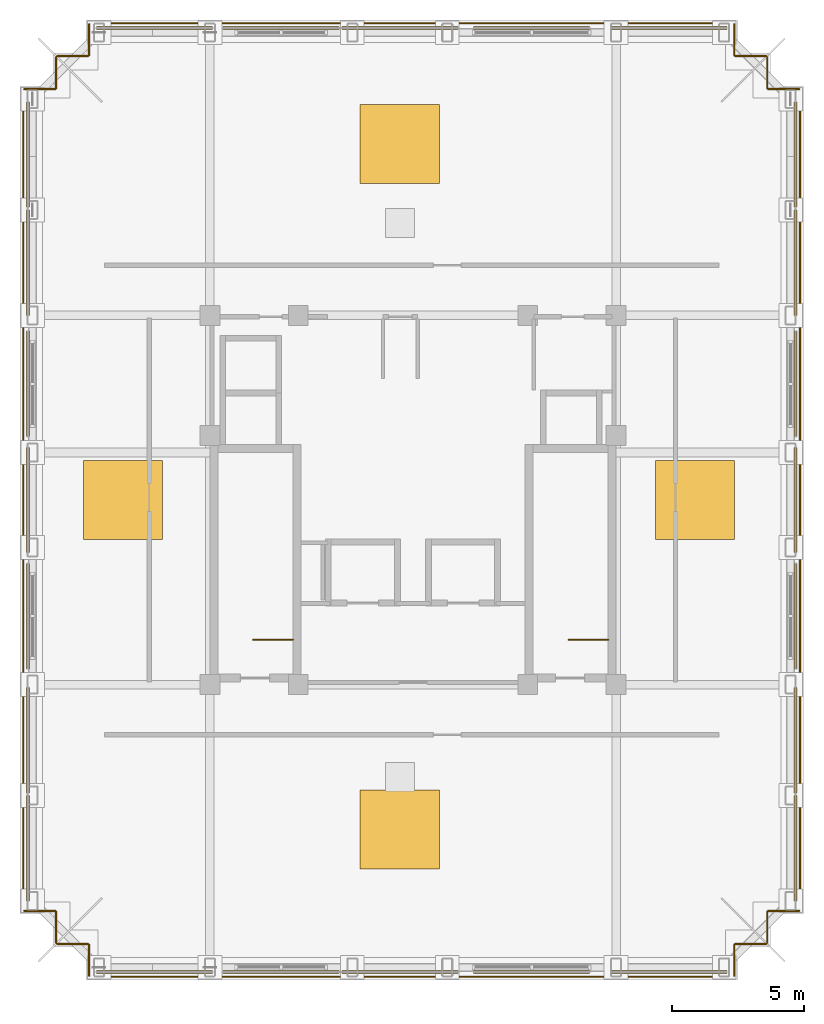
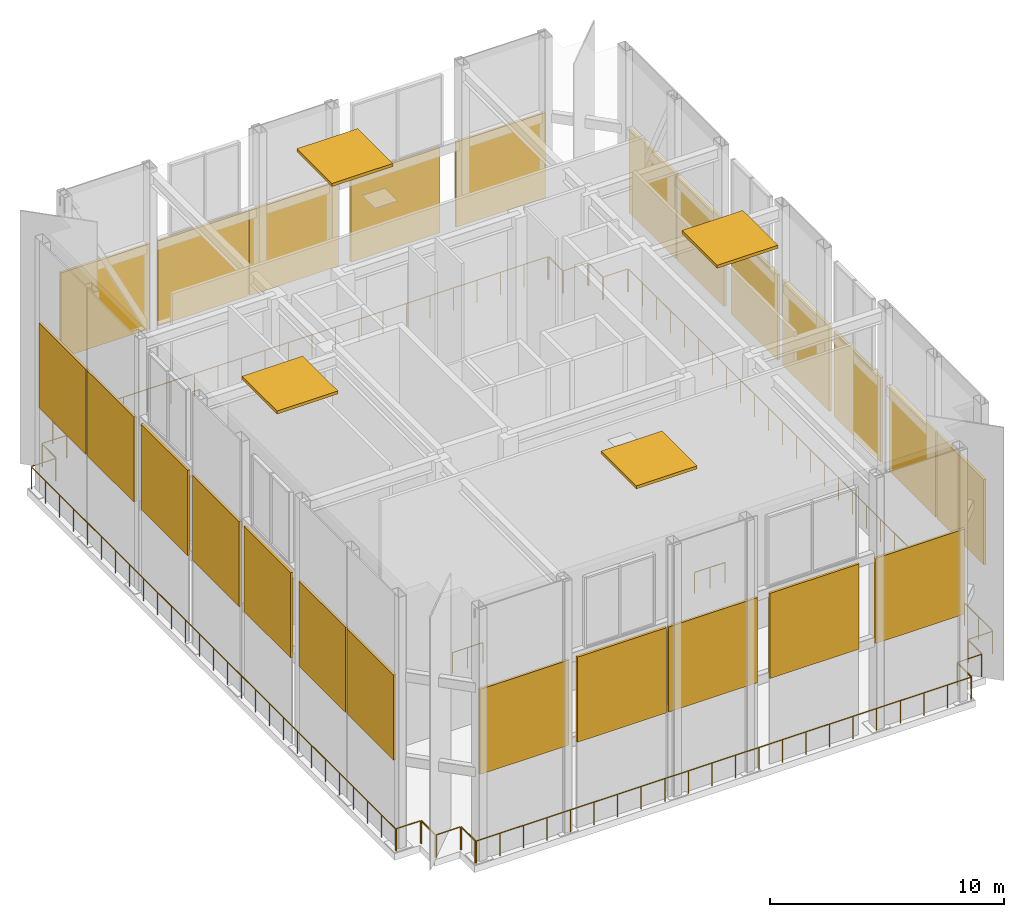
# One storey, part 7 of 7: 28 shading devices, 22 railings.
"""IFC4 building model written with IfcOpenShell, lengths in metres."""

from ifc_helpers import new_model, si_unit, derived_unit, direction, frame, origin, origin_2d, place, context, subcontext, project, spatial, rectangle, circle, extrude, material, type_object, element, save


model = new_model("IFC4")

# Units and contexts
model_context = context("Model", 3, precision=1e-05, world=origin(), true_north=direction((0.0, 1.0)))
body_context = subcontext(model_context, "Body", "Model", "MODEL_VIEW")
ifc_project = project(units=[si_unit("LENGTHUNIT", "METRE"), si_unit("AREAUNIT", "SQUARE_METRE"), si_unit("VOLUMEUNIT", "CUBIC_METRE"), si_unit("PLANEANGLEUNIT", "RADIAN"), si_unit("MASSUNIT", "GRAM", prefix="KILO"), derived_unit("THERMALTRANSMITTANCEUNIT", [(si_unit("MASSUNIT", "GRAM", prefix="KILO"), 1), (si_unit("TIMEUNIT", "SECOND"), -3), (si_unit("THERMODYNAMICTEMPERATUREUNIT", "KELVIN"), -1)])], contexts=[model_context])

# Site, building, storey
site_placement = place(None, origin())
site = spatial("IfcSite", under=ifc_project, at=site_placement, CompositionType="ELEMENT")
building_placement = place(site_placement, origin())
building = spatial("IfcBuilding", under=site, at=building_placement, Name="Korrvale Station Residences", CompositionType="ELEMENT")
storey_placement = place(building_placement, frame((0.0, 0.0, 261.5)))
storey = spatial("IfcBuildingStorey", under=building, at=storey_placement, Name="L76 Crown", CompositionType="ELEMENT", Elevation=261.5)

# Railings
ifc_material_1 = material(Name="Galvanised steel refuge perimeter guard", Category="steel")
railing_type_1 = type_object("IfcRailingType", Name="RLG-REF-1200", PredefinedType="GUARDRAIL", material=ifc_material_1)
railing_1_placement = place(storey_placement, frame((13.219970703125, 3.955078125, 0.0)))
element("IfcRailing", 1, at=railing_1_placement, inside=storey, type_object=railing_type_1, Name="L76 Crown Perimeter Maintenance Guardrail 01", PredefinedType="GUARDRAIL", context=body_context, shape_type="SweptSolid", body=[
    extrude(circle(Radius=0.02392578125, at=origin_2d()), frame((0.0, 0.0, 1.17578125), z_axis=(0.0, 1.0, 0.0), x_axis=(-1.0, 0.0, 0.0)), (0.0, 0.0, 1.0), 1.179931640625),
    extrude(circle(Radius=0.02099609375, at=origin_2d()), origin(), (0.0, 0.0, 1.0), 1.15185546875),
    extrude(circle(Radius=0.02099609375, at=origin_2d()), frame((0.0, 1.179931640625, 0.0)), (0.0, 0.0, 1.0), 1.15185546875),
])
railing_2_placement = place(storey_placement, frame((13.18505859375, 5.169921875, 0.0)))
element("IfcRailing", 2, at=railing_2_placement, inside=storey, type_object=railing_type_1, Name="L76 Crown Perimeter Maintenance Guardrail 02", PredefinedType="GUARDRAIL", context=body_context, shape_type="SweptSolid", body=[
    extrude(circle(Radius=0.02392578125, at=origin_2d()), frame((0.0, 0.0, 1.17578125), z_axis=(-1.0, 0.0, 0.0), x_axis=(0.0, -1.0, 0.0)), (0.0, 0.0, 1.0), 1.18017578125),
    extrude(circle(Radius=0.02099609375, at=origin_2d()), origin(), (0.0, 0.0, 1.0), 1.15185546875),
    extrude(circle(Radius=0.02099609375, at=origin_2d()), frame((-1.18017578125, 0.0, 0.0)), (0.0, 0.0, 1.0), 1.15185546875),
])
railing_3_placement = place(storey_placement, frame((11.969970703125, 5.205078125, 0.0)))
element("IfcRailing", 3, at=railing_3_placement, inside=storey, type_object=railing_type_1, Name="L76 Crown Perimeter Maintenance Guardrail 03", PredefinedType="GUARDRAIL", context=body_context, shape_type="SweptSolid", body=[
    extrude(circle(Radius=0.02392578125, at=origin_2d()), frame((0.0, 0.0, 1.17578125), z_axis=(0.0, 1.0, 0.0), x_axis=(-1.0, 0.0, 0.0)), (0.0, 0.0, 1.0), 1.179931640625),
    extrude(circle(Radius=0.02099609375, at=origin_2d()), origin(), (0.0, 0.0, 1.0), 1.15185546875),
    extrude(circle(Radius=0.02099609375, at=origin_2d()), frame((0.0, 1.179931640625, 0.0)), (0.0, 0.0, 1.0), 1.15185546875),
])
railing_4_placement = place(storey_placement, frame((11.93505859375, 6.419921875, 0.0)))
element("IfcRailing", 4, at=railing_4_placement, inside=storey, type_object=railing_type_1, Name="L76 Crown Perimeter Maintenance Guardrail 04", PredefinedType="GUARDRAIL", context=body_context, shape_type="SweptSolid", body=[
    extrude(circle(Radius=0.02392578125, at=origin_2d()), frame((0.0, 0.0, 1.17578125), z_axis=(-1.0, 0.0, 0.0), x_axis=(0.0, -1.0, 0.0)), (0.0, 0.0, 1.0), 1.18017578125),
    extrude(circle(Radius=0.02099609375, at=origin_2d()), origin(), (0.0, 0.0, 1.0), 1.15185546875),
    extrude(circle(Radius=0.02099609375, at=origin_2d()), frame((-1.18017578125, 0.0, 0.0)), (0.0, 0.0, 1.0), 1.15185546875),
])
railing_5_placement = place(storey_placement, frame((10.719970703125, 6.455078125, 0.0)))
element("IfcRailing", 5, at=railing_5_placement, inside=storey, type_object=railing_type_1, Name="L76 Crown Perimeter Maintenance Guardrail 05", PredefinedType="GUARDRAIL", context=body_context, shape_type="SweptSolid", body=[
    extrude(circle(Radius=0.02392578125, at=origin_2d()), frame((0.0, 0.0, 1.17578125), z_axis=(0.0, 1.0, 0.0), x_axis=(-1.0, 0.0, 0.0)), (0.0, 0.0, 1.0), 31.08984375),
    extrude(circle(Radius=0.02099609375, at=origin_2d()), origin(), (0.0, 0.0, 1.0), 1.15185546875),
    extrude(circle(Radius=0.02099609375, at=origin_2d()), frame((0.0, 1.19580078125, 0.0)), (0.0, 0.0, 1.0), 1.15185546875),
    extrude(circle(Radius=0.02099609375, at=origin_2d()), frame((0.0, 2.3916015625, 0.0)), (0.0, 0.0, 1.0), 1.15185546875),
    extrude(circle(Radius=0.02099609375, at=origin_2d()), frame((0.0, 3.58740234375, 0.0)), (0.0, 0.0, 1.0), 1.15185546875),
    extrude(circle(Radius=0.02099609375, at=origin_2d()), frame((0.0, 4.782958984375, 0.0)), (0.0, 0.0, 1.0), 1.15185546875),
    extrude(circle(Radius=0.02099609375, at=origin_2d()), frame((0.0, 5.978759765625, 0.0)), (0.0, 0.0, 1.0), 1.15185546875),
    extrude(circle(Radius=0.02099609375, at=origin_2d()), frame((0.0, 7.174560546875, 0.0)), (0.0, 0.0, 1.0), 1.15185546875),
    extrude(circle(Radius=0.02099609375, at=origin_2d()), frame((0.0, 8.370361328125, 0.0)), (0.0, 0.0, 1.0), 1.15185546875),
    extrude(circle(Radius=0.02099609375, at=origin_2d()), frame((0.0, 9.566162109375, 0.0)), (0.0, 0.0, 1.0), 1.15185546875),
    extrude(circle(Radius=0.02099609375, at=origin_2d()), frame((0.0, 10.761962890625, 0.0)), (0.0, 0.0, 1.0), 1.15185546875),
    extrude(circle(Radius=0.02099609375, at=origin_2d()), frame((0.0, 11.95751953125, 0.0)), (0.0, 0.0, 1.0), 1.15185546875),
    extrude(circle(Radius=0.02099609375, at=origin_2d()), frame((0.0, 13.1533203125, 0.0)), (0.0, 0.0, 1.0), 1.15185546875),
    extrude(circle(Radius=0.02099609375, at=origin_2d()), frame((0.0, 14.34912109375, 0.0)), (0.0, 0.0, 1.0), 1.15185546875),
    extrude(circle(Radius=0.02099609375, at=origin_2d()), frame((0.0, 15.544921875, 0.0)), (0.0, 0.0, 1.0), 1.15185546875),
    extrude(circle(Radius=0.02099609375, at=origin_2d()), frame((0.0, 16.74072265625, 0.0)), (0.0, 0.0, 1.0), 1.15185546875),
    extrude(circle(Radius=0.02099609375, at=origin_2d()), frame((0.0, 17.9365234375, 0.0)), (0.0, 0.0, 1.0), 1.15185546875),
    extrude(circle(Radius=0.02099609375, at=origin_2d()), frame((0.0, 19.13232421875, 0.0)), (0.0, 0.0, 1.0), 1.15185546875),
    extrude(circle(Radius=0.02099609375, at=origin_2d()), frame((0.0, 20.327880859375, 0.0)), (0.0, 0.0, 1.0), 1.15185546875),
    extrude(circle(Radius=0.02099609375, at=origin_2d()), frame((0.0, 21.523681640625, 0.0)), (0.0, 0.0, 1.0), 1.15185546875),
    extrude(circle(Radius=0.02099609375, at=origin_2d()), frame((0.0, 22.719482421875, 0.0)), (0.0, 0.0, 1.0), 1.15185546875),
    extrude(circle(Radius=0.02099609375, at=origin_2d()), frame((0.0, 23.915283203125, 0.0)), (0.0, 0.0, 1.0), 1.15185546875),
    extrude(circle(Radius=0.02099609375, at=origin_2d()), frame((0.0, 25.111083984375, 0.0)), (0.0, 0.0, 1.0), 1.15185546875),
    extrude(circle(Radius=0.02099609375, at=origin_2d()), frame((0.0, 26.306884765625, 0.0)), (0.0, 0.0, 1.0), 1.15185546875),
    extrude(circle(Radius=0.02099609375, at=origin_2d()), frame((0.0, 27.50244140625, 0.0)), (0.0, 0.0, 1.0), 1.15185546875),
    extrude(circle(Radius=0.02099609375, at=origin_2d()), frame((0.0, 28.6982421875, 0.0)), (0.0, 0.0, 1.0), 1.15185546875),
    extrude(circle(Radius=0.02099609375, at=origin_2d()), frame((0.0, 29.89404296875, 0.0)), (0.0, 0.0, 1.0), 1.15185546875),
    extrude(circle(Radius=0.02099609375, at=origin_2d()), frame((0.0, 31.08984375, 0.0)), (0.0, 0.0, 1.0), 1.15185546875),
])
railing_6_placement = place(storey_placement, frame((10.7548828125, 37.580078125, 0.0)))
element("IfcRailing", 6, at=railing_6_placement, inside=storey, type_object=railing_type_1, Name="L76 Crown Perimeter Maintenance Guardrail 06", PredefinedType="GUARDRAIL", context=body_context, shape_type="SweptSolid", body=[
    extrude(circle(Radius=0.02392578125, at=origin_2d()), frame((0.0, 0.0, 1.17578125), z_axis=(1.0, 0.0, 0.0), x_axis=(0.0, 1.0, 0.0)), (0.0, 0.0, 1.0), 1.18017578125),
    extrude(circle(Radius=0.02099609375, at=origin_2d()), origin(), (0.0, 0.0, 1.0), 1.15185546875),
    extrude(circle(Radius=0.02099609375, at=origin_2d()), frame((1.18017578125, 0.0, 0.0)), (0.0, 0.0, 1.0), 1.15185546875),
])
railing_7_placement = place(storey_placement, frame((11.969970703125, 37.614990234375, 0.0)))
element("IfcRailing", 7, at=railing_7_placement, inside=storey, type_object=railing_type_1, Name="L76 Crown Perimeter Maintenance Guardrail 07", PredefinedType="GUARDRAIL", context=body_context, shape_type="SweptSolid", body=[
    extrude(circle(Radius=0.02392578125, at=origin_2d()), frame((0.0, 0.0, 1.17578125), z_axis=(0.0, 1.0, 0.0), x_axis=(-1.0, 0.0, 0.0)), (0.0, 0.0, 1.0), 1.179931640625),
    extrude(circle(Radius=0.02099609375, at=origin_2d()), origin(), (0.0, 0.0, 1.0), 1.15185546875),
    extrude(circle(Radius=0.02099609375, at=origin_2d()), frame((0.0, 1.179931640625, 0.0)), (0.0, 0.0, 1.0), 1.15185546875),
])
railing_8_placement = place(storey_placement, frame((12.0048828125, 38.830078125, 0.0)))
element("IfcRailing", 8, at=railing_8_placement, inside=storey, type_object=railing_type_1, Name="L76 Crown Perimeter Maintenance Guardrail 08", PredefinedType="GUARDRAIL", context=body_context, shape_type="SweptSolid", body=[
    extrude(circle(Radius=0.02392578125, at=origin_2d()), frame((0.0, 0.0, 1.17578125), z_axis=(1.0, 0.0, 0.0), x_axis=(0.0, 1.0, 0.0)), (0.0, 0.0, 1.0), 1.18017578125),
    extrude(circle(Radius=0.02099609375, at=origin_2d()), origin(), (0.0, 0.0, 1.0), 1.15185546875),
    extrude(circle(Radius=0.02099609375, at=origin_2d()), frame((1.18017578125, 0.0, 0.0)), (0.0, 0.0, 1.0), 1.15185546875),
])
railing_9_placement = place(storey_placement, frame((13.219970703125, 38.864990234375, 0.0)))
element("IfcRailing", 9, at=railing_9_placement, inside=storey, type_object=railing_type_1, Name="L76 Crown Perimeter Maintenance Guardrail 09", PredefinedType="GUARDRAIL", context=body_context, shape_type="SweptSolid", body=[
    extrude(circle(Radius=0.02392578125, at=origin_2d()), frame((0.0, 0.0, 1.17578125), z_axis=(0.0, 1.0, 0.0), x_axis=(-1.0, 0.0, 0.0)), (0.0, 0.0, 1.0), 1.179931640625),
    extrude(circle(Radius=0.02099609375, at=origin_2d()), origin(), (0.0, 0.0, 1.0), 1.15185546875),
    extrude(circle(Radius=0.02099609375, at=origin_2d()), frame((0.0, 1.179931640625, 0.0)), (0.0, 0.0, 1.0), 1.15185546875),
])
railing_10_placement = place(storey_placement, frame((13.2548828125, 40.080078125, 0.0)))
element("IfcRailing", 10, at=railing_10_placement, inside=storey, type_object=railing_type_1, Name="L76 Crown Perimeter Maintenance Guardrail 10", PredefinedType="GUARDRAIL", context=body_context, shape_type="SweptSolid", body=[
    extrude(circle(Radius=0.02392578125, at=origin_2d()), frame((0.0, 0.0, 1.17578125), z_axis=(1.0, 0.0, 0.0), x_axis=(0.0, 1.0, 0.0)), (0.0, 0.0, 1.0), 24.39013671875),
    extrude(circle(Radius=0.02099609375, at=origin_2d()), origin(), (0.0, 0.0, 1.0), 1.15185546875),
    extrude(circle(Radius=0.02099609375, at=origin_2d()), frame((1.161376953125, 0.0, 0.0)), (0.0, 0.0, 1.0), 1.15185546875),
    extrude(circle(Radius=0.02099609375, at=origin_2d()), frame((2.32275390625, 0.0, 0.0)), (0.0, 0.0, 1.0), 1.15185546875),
    extrude(circle(Radius=0.02099609375, at=origin_2d()), frame((3.484375, 0.0, 0.0)), (0.0, 0.0, 1.0), 1.15185546875),
    extrude(circle(Radius=0.02099609375, at=origin_2d()), frame((4.645751953125, 0.0, 0.0)), (0.0, 0.0, 1.0), 1.15185546875),
    extrude(circle(Radius=0.02099609375, at=origin_2d()), frame((5.80712890625, 0.0, 0.0)), (0.0, 0.0, 1.0), 1.15185546875),
    extrude(circle(Radius=0.02099609375, at=origin_2d()), frame((6.968505859375, 0.0, 0.0)), (0.0, 0.0, 1.0), 1.15185546875),
    extrude(circle(Radius=0.02099609375, at=origin_2d()), frame((8.130126953125, 0.0, 0.0)), (0.0, 0.0, 1.0), 1.15185546875),
    extrude(circle(Radius=0.02099609375, at=origin_2d()), frame((9.29150390625, 0.0, 0.0)), (0.0, 0.0, 1.0), 1.15185546875),
    extrude(circle(Radius=0.02099609375, at=origin_2d()), frame((10.452880859375, 0.0, 0.0)), (0.0, 0.0, 1.0), 1.15185546875),
    extrude(circle(Radius=0.02099609375, at=origin_2d()), frame((11.6142578125, 0.0, 0.0)), (0.0, 0.0, 1.0), 1.15185546875),
    extrude(circle(Radius=0.02099609375, at=origin_2d()), frame((12.77587890625, 0.0, 0.0)), (0.0, 0.0, 1.0), 1.15185546875),
    extrude(circle(Radius=0.02099609375, at=origin_2d()), frame((13.937255859375, 0.0, 0.0)), (0.0, 0.0, 1.0), 1.15185546875),
    extrude(circle(Radius=0.02099609375, at=origin_2d()), frame((15.0986328125, 0.0, 0.0)), (0.0, 0.0, 1.0), 1.15185546875),
    extrude(circle(Radius=0.02099609375, at=origin_2d()), frame((16.260009765625, 0.0, 0.0)), (0.0, 0.0, 1.0), 1.15185546875),
    extrude(circle(Radius=0.02099609375, at=origin_2d()), frame((17.421630859375, 0.0, 0.0)), (0.0, 0.0, 1.0), 1.15185546875),
    extrude(circle(Radius=0.02099609375, at=origin_2d()), frame((18.5830078125, 0.0, 0.0)), (0.0, 0.0, 1.0), 1.15185546875),
    extrude(circle(Radius=0.02099609375, at=origin_2d()), frame((19.744384765625, 0.0, 0.0)), (0.0, 0.0, 1.0), 1.15185546875),
    extrude(circle(Radius=0.02099609375, at=origin_2d()), frame((20.90576171875, 0.0, 0.0)), (0.0, 0.0, 1.0), 1.15185546875),
    extrude(circle(Radius=0.02099609375, at=origin_2d()), frame((22.0673828125, 0.0, 0.0)), (0.0, 0.0, 1.0), 1.15185546875),
    extrude(circle(Radius=0.02099609375, at=origin_2d()), frame((23.228759765625, 0.0, 0.0)), (0.0, 0.0, 1.0), 1.15185546875),
    extrude(circle(Radius=0.02099609375, at=origin_2d()), frame((24.39013671875, 0.0, 0.0)), (0.0, 0.0, 1.0), 1.15185546875),
])
railing_11_placement = place(storey_placement, frame((37.679931640625, 40.044921875, 0.0)))
element("IfcRailing", 11, at=railing_11_placement, inside=storey, type_object=railing_type_1, Name="L76 Crown Perimeter Maintenance Guardrail 11", PredefinedType="GUARDRAIL", context=body_context, shape_type="SweptSolid", body=[
    extrude(circle(Radius=0.02392578125, at=origin_2d()), frame((0.0, 0.0, 1.17578125), z_axis=(0.0, -1.0, 0.0), x_axis=(1.0, 0.0, 0.0)), (0.0, 0.0, 1.0), 1.179931640625),
    extrude(circle(Radius=0.02099609375, at=origin_2d()), origin(), (0.0, 0.0, 1.0), 1.15185546875),
    extrude(circle(Radius=0.02099609375, at=origin_2d()), frame((0.0, -1.179931640625, 0.0)), (0.0, 0.0, 1.0), 1.15185546875),
])
railing_12_placement = place(storey_placement, frame((37.715087890625, 38.830078125, 0.0)))
element("IfcRailing", 12, at=railing_12_placement, inside=storey, type_object=railing_type_1, Name="L76 Crown Perimeter Maintenance Guardrail 12", PredefinedType="GUARDRAIL", context=body_context, shape_type="SweptSolid", body=[
    extrude(circle(Radius=0.02392578125, at=origin_2d()), frame((0.0, 0.0, 1.17578125), z_axis=(1.0, 0.0, 0.0), x_axis=(0.0, 1.0, 0.0)), (0.0, 0.0, 1.0), 1.179931640625),
    extrude(circle(Radius=0.02099609375, at=origin_2d()), origin(), (0.0, 0.0, 1.0), 1.15185546875),
    extrude(circle(Radius=0.02099609375, at=origin_2d()), frame((1.179931640625, 0.0, 0.0)), (0.0, 0.0, 1.0), 1.15185546875),
])
railing_13_placement = place(storey_placement, frame((38.929931640625, 38.794921875, 0.0)))
element("IfcRailing", 13, at=railing_13_placement, inside=storey, type_object=railing_type_1, Name="L76 Crown Perimeter Maintenance Guardrail 13", PredefinedType="GUARDRAIL", context=body_context, shape_type="SweptSolid", body=[
    extrude(circle(Radius=0.02392578125, at=origin_2d()), frame((0.0, 0.0, 1.17578125), z_axis=(0.0, -1.0, 0.0), x_axis=(1.0, 0.0, 0.0)), (0.0, 0.0, 1.0), 1.179931640625),
    extrude(circle(Radius=0.02099609375, at=origin_2d()), origin(), (0.0, 0.0, 1.0), 1.15185546875),
    extrude(circle(Radius=0.02099609375, at=origin_2d()), frame((0.0, -1.179931640625, 0.0)), (0.0, 0.0, 1.0), 1.15185546875),
])
railing_14_placement = place(storey_placement, frame((38.965087890625, 37.580078125, 0.0)))
element("IfcRailing", 14, at=railing_14_placement, inside=storey, type_object=railing_type_1, Name="L76 Crown Perimeter Maintenance Guardrail 14", PredefinedType="GUARDRAIL", context=body_context, shape_type="SweptSolid", body=[
    extrude(circle(Radius=0.02392578125, at=origin_2d()), frame((0.0, 0.0, 1.17578125), z_axis=(1.0, 0.0, 0.0), x_axis=(0.0, 1.0, 0.0)), (0.0, 0.0, 1.0), 1.179931640625),
    extrude(circle(Radius=0.02099609375, at=origin_2d()), origin(), (0.0, 0.0, 1.0), 1.15185546875),
    extrude(circle(Radius=0.02099609375, at=origin_2d()), frame((1.179931640625, 0.0, 0.0)), (0.0, 0.0, 1.0), 1.15185546875),
])
railing_15_placement = place(storey_placement, frame((40.179931640625, 37.544921875, 0.0)))
element("IfcRailing", 15, at=railing_15_placement, inside=storey, type_object=railing_type_1, Name="L76 Crown Perimeter Maintenance Guardrail 15", PredefinedType="GUARDRAIL", context=body_context, shape_type="SweptSolid", body=[
    extrude(circle(Radius=0.02392578125, at=origin_2d()), frame((0.0, 0.0, 1.17578125), z_axis=(0.0, -1.0, 0.0), x_axis=(1.0, 0.0, 0.0)), (0.0, 0.0, 1.0), 31.08984375),
    extrude(circle(Radius=0.02099609375, at=origin_2d()), origin(), (0.0, 0.0, 1.0), 1.15185546875),
    extrude(circle(Radius=0.02099609375, at=origin_2d()), frame((0.0, -1.19580078125, 0.0)), (0.0, 0.0, 1.0), 1.15185546875),
    extrude(circle(Radius=0.02099609375, at=origin_2d()), frame((0.0, -2.3916015625, 0.0)), (0.0, 0.0, 1.0), 1.15185546875),
    extrude(circle(Radius=0.02099609375, at=origin_2d()), frame((0.0, -3.58740234375, 0.0)), (0.0, 0.0, 1.0), 1.15185546875),
    extrude(circle(Radius=0.02099609375, at=origin_2d()), frame((0.0, -4.782958984375, 0.0)), (0.0, 0.0, 1.0), 1.15185546875),
    extrude(circle(Radius=0.02099609375, at=origin_2d()), frame((0.0, -5.978759765625, 0.0)), (0.0, 0.0, 1.0), 1.15185546875),
    extrude(circle(Radius=0.02099609375, at=origin_2d()), frame((0.0, -7.174560546875, 0.0)), (0.0, 0.0, 1.0), 1.15185546875),
    extrude(circle(Radius=0.02099609375, at=origin_2d()), frame((0.0, -8.370361328125, 0.0)), (0.0, 0.0, 1.0), 1.15185546875),
    extrude(circle(Radius=0.02099609375, at=origin_2d()), frame((0.0, -9.566162109375, 0.0)), (0.0, 0.0, 1.0), 1.15185546875),
    extrude(circle(Radius=0.02099609375, at=origin_2d()), frame((0.0, -10.761962890625, 0.0)), (0.0, 0.0, 1.0), 1.15185546875),
    extrude(circle(Radius=0.02099609375, at=origin_2d()), frame((0.0, -11.95751953125, 0.0)), (0.0, 0.0, 1.0), 1.15185546875),
    extrude(circle(Radius=0.02099609375, at=origin_2d()), frame((0.0, -13.1533203125, 0.0)), (0.0, 0.0, 1.0), 1.15185546875),
    extrude(circle(Radius=0.02099609375, at=origin_2d()), frame((0.0, -14.34912109375, 0.0)), (0.0, 0.0, 1.0), 1.15185546875),
    extrude(circle(Radius=0.02099609375, at=origin_2d()), frame((0.0, -15.544921875, 0.0)), (0.0, 0.0, 1.0), 1.15185546875),
    extrude(circle(Radius=0.02099609375, at=origin_2d()), frame((0.0, -16.74072265625, 0.0)), (0.0, 0.0, 1.0), 1.15185546875),
    extrude(circle(Radius=0.02099609375, at=origin_2d()), frame((0.0, -17.9365234375, 0.0)), (0.0, 0.0, 1.0), 1.15185546875),
    extrude(circle(Radius=0.02099609375, at=origin_2d()), frame((0.0, -19.13232421875, 0.0)), (0.0, 0.0, 1.0), 1.15185546875),
    extrude(circle(Radius=0.02099609375, at=origin_2d()), frame((0.0, -20.327880859375, 0.0)), (0.0, 0.0, 1.0), 1.15185546875),
    extrude(circle(Radius=0.02099609375, at=origin_2d()), frame((0.0, -21.523681640625, 0.0)), (0.0, 0.0, 1.0), 1.15185546875),
    extrude(circle(Radius=0.02099609375, at=origin_2d()), frame((0.0, -22.719482421875, 0.0)), (0.0, 0.0, 1.0), 1.15185546875),
    extrude(circle(Radius=0.02099609375, at=origin_2d()), frame((0.0, -23.915283203125, 0.0)), (0.0, 0.0, 1.0), 1.15185546875),
    extrude(circle(Radius=0.02099609375, at=origin_2d()), frame((0.0, -25.111083984375, 0.0)), (0.0, 0.0, 1.0), 1.15185546875),
    extrude(circle(Radius=0.02099609375, at=origin_2d()), frame((0.0, -26.306884765625, 0.0)), (0.0, 0.0, 1.0), 1.15185546875),
    extrude(circle(Radius=0.02099609375, at=origin_2d()), frame((0.0, -27.50244140625, 0.0)), (0.0, 0.0, 1.0), 1.15185546875),
    extrude(circle(Radius=0.02099609375, at=origin_2d()), frame((0.0, -28.6982421875, 0.0)), (0.0, 0.0, 1.0), 1.15185546875),
    extrude(circle(Radius=0.02099609375, at=origin_2d()), frame((0.0, -29.89404296875, 0.0)), (0.0, 0.0, 1.0), 1.15185546875),
    extrude(circle(Radius=0.02099609375, at=origin_2d()), frame((0.0, -31.08984375, 0.0)), (0.0, 0.0, 1.0), 1.15185546875),
])
railing_16_placement = place(storey_placement, frame((40.14501953125, 6.419921875, 0.0)))
element("IfcRailing", 16, at=railing_16_placement, inside=storey, type_object=railing_type_1, Name="L76 Crown Perimeter Maintenance Guardrail 16", PredefinedType="GUARDRAIL", context=body_context, shape_type="SweptSolid", body=[
    extrude(circle(Radius=0.02392578125, at=origin_2d()), frame((0.0, 0.0, 1.17578125), z_axis=(-1.0, 0.0, 0.0), x_axis=(0.0, -1.0, 0.0)), (0.0, 0.0, 1.0), 1.179931640625),
    extrude(circle(Radius=0.02099609375, at=origin_2d()), origin(), (0.0, 0.0, 1.0), 1.15185546875),
    extrude(circle(Radius=0.02099609375, at=origin_2d()), frame((-1.179931640625, 0.0, 0.0)), (0.0, 0.0, 1.0), 1.15185546875),
])
railing_17_placement = place(storey_placement, frame((38.929931640625, 6.385009765625, 0.0)))
element("IfcRailing", 17, at=railing_17_placement, inside=storey, type_object=railing_type_1, Name="L76 Crown Perimeter Maintenance Guardrail 17", PredefinedType="GUARDRAIL", context=body_context, shape_type="SweptSolid", body=[
    extrude(circle(Radius=0.02392578125, at=origin_2d()), frame((0.0, 0.0, 1.17578125), z_axis=(0.0, -1.0, 0.0), x_axis=(1.0, 0.0, 0.0)), (0.0, 0.0, 1.0), 1.179931640625),
    extrude(circle(Radius=0.02099609375, at=origin_2d()), origin(), (0.0, 0.0, 1.0), 1.15185546875),
    extrude(circle(Radius=0.02099609375, at=origin_2d()), frame((0.0, -1.179931640625, 0.0)), (0.0, 0.0, 1.0), 1.15185546875),
])
railing_18_placement = place(storey_placement, frame((38.89501953125, 5.169921875, 0.0)))
element("IfcRailing", 18, at=railing_18_placement, inside=storey, type_object=railing_type_1, Name="L76 Crown Perimeter Maintenance Guardrail 18", PredefinedType="GUARDRAIL", context=body_context, shape_type="SweptSolid", body=[
    extrude(circle(Radius=0.02392578125, at=origin_2d()), frame((0.0, 0.0, 1.17578125), z_axis=(-1.0, 0.0, 0.0), x_axis=(0.0, -1.0, 0.0)), (0.0, 0.0, 1.0), 1.179931640625),
    extrude(circle(Radius=0.02099609375, at=origin_2d()), origin(), (0.0, 0.0, 1.0), 1.15185546875),
    extrude(circle(Radius=0.02099609375, at=origin_2d()), frame((-1.179931640625, 0.0, 0.0)), (0.0, 0.0, 1.0), 1.15185546875),
])
railing_19_placement = place(storey_placement, frame((37.679931640625, 5.135009765625, 0.0)))
element("IfcRailing", 19, at=railing_19_placement, inside=storey, type_object=railing_type_1, Name="L76 Crown Perimeter Maintenance Guardrail 19", PredefinedType="GUARDRAIL", context=body_context, shape_type="SweptSolid", body=[
    extrude(circle(Radius=0.02392578125, at=origin_2d()), frame((0.0, 0.0, 1.17578125), z_axis=(0.0, -1.0, 0.0), x_axis=(1.0, 0.0, 0.0)), (0.0, 0.0, 1.0), 1.179931640625),
    extrude(circle(Radius=0.02099609375, at=origin_2d()), origin(), (0.0, 0.0, 1.0), 1.15185546875),
    extrude(circle(Radius=0.02099609375, at=origin_2d()), frame((0.0, -1.179931640625, 0.0)), (0.0, 0.0, 1.0), 1.15185546875),
])
railing_20_placement = place(storey_placement, frame((37.64501953125, 3.919921875, 0.0)))
element("IfcRailing", 20, at=railing_20_placement, inside=storey, type_object=railing_type_1, Name="L76 Crown Perimeter Maintenance Guardrail 20", PredefinedType="GUARDRAIL", context=body_context, shape_type="SweptSolid", body=[
    extrude(circle(Radius=0.02392578125, at=origin_2d()), frame((0.0, 0.0, 1.17578125), z_axis=(-1.0, 0.0, 0.0), x_axis=(0.0, -1.0, 0.0)), (0.0, 0.0, 1.0), 24.39013671875),
    extrude(circle(Radius=0.02099609375, at=origin_2d()), origin(), (0.0, 0.0, 1.0), 1.15185546875),
    extrude(circle(Radius=0.02099609375, at=origin_2d()), frame((-1.161376953125, 0.0, 0.0)), (0.0, 0.0, 1.0), 1.15185546875),
    extrude(circle(Radius=0.02099609375, at=origin_2d()), frame((-2.32275390625, 0.0, 0.0)), (0.0, 0.0, 1.0), 1.15185546875),
    extrude(circle(Radius=0.02099609375, at=origin_2d()), frame((-3.484375, 0.0, 0.0)), (0.0, 0.0, 1.0), 1.15185546875),
    extrude(circle(Radius=0.02099609375, at=origin_2d()), frame((-4.645751953125, 0.0, 0.0)), (0.0, 0.0, 1.0), 1.15185546875),
    extrude(circle(Radius=0.02099609375, at=origin_2d()), frame((-5.80712890625, 0.0, 0.0)), (0.0, 0.0, 1.0), 1.15185546875),
    extrude(circle(Radius=0.02099609375, at=origin_2d()), frame((-6.968505859375, 0.0, 0.0)), (0.0, 0.0, 1.0), 1.15185546875),
    extrude(circle(Radius=0.02099609375, at=origin_2d()), frame((-8.130126953125, 0.0, 0.0)), (0.0, 0.0, 1.0), 1.15185546875),
    extrude(circle(Radius=0.02099609375, at=origin_2d()), frame((-9.29150390625, 0.0, 0.0)), (0.0, 0.0, 1.0), 1.15185546875),
    extrude(circle(Radius=0.02099609375, at=origin_2d()), frame((-10.452880859375, 0.0, 0.0)), (0.0, 0.0, 1.0), 1.15185546875),
    extrude(circle(Radius=0.02099609375, at=origin_2d()), frame((-11.6142578125, 0.0, 0.0)), (0.0, 0.0, 1.0), 1.15185546875),
    extrude(circle(Radius=0.02099609375, at=origin_2d()), frame((-12.77587890625, 0.0, 0.0)), (0.0, 0.0, 1.0), 1.15185546875),
    extrude(circle(Radius=0.02099609375, at=origin_2d()), frame((-13.937255859375, 0.0, 0.0)), (0.0, 0.0, 1.0), 1.15185546875),
    extrude(circle(Radius=0.02099609375, at=origin_2d()), frame((-15.0986328125, 0.0, 0.0)), (0.0, 0.0, 1.0), 1.15185546875),
    extrude(circle(Radius=0.02099609375, at=origin_2d()), frame((-16.260009765625, 0.0, 0.0)), (0.0, 0.0, 1.0), 1.15185546875),
    extrude(circle(Radius=0.02099609375, at=origin_2d()), frame((-17.421630859375, 0.0, 0.0)), (0.0, 0.0, 1.0), 1.15185546875),
    extrude(circle(Radius=0.02099609375, at=origin_2d()), frame((-18.5830078125, 0.0, 0.0)), (0.0, 0.0, 1.0), 1.15185546875),
    extrude(circle(Radius=0.02099609375, at=origin_2d()), frame((-19.744384765625, 0.0, 0.0)), (0.0, 0.0, 1.0), 1.15185546875),
    extrude(circle(Radius=0.02099609375, at=origin_2d()), frame((-20.90576171875, 0.0, 0.0)), (0.0, 0.0, 1.0), 1.15185546875),
    extrude(circle(Radius=0.02099609375, at=origin_2d()), frame((-22.0673828125, 0.0, 0.0)), (0.0, 0.0, 1.0), 1.15185546875),
    extrude(circle(Radius=0.02099609375, at=origin_2d()), frame((-23.228759765625, 0.0, 0.0)), (0.0, 0.0, 1.0), 1.15185546875),
    extrude(circle(Radius=0.02099609375, at=origin_2d()), frame((-24.39013671875, 0.0, 0.0)), (0.0, 0.0, 1.0), 1.15185546875),
])
ifc_material_2 = material(Name="Galvanised painted tubular steel stair guard", Category="steel")
railing_type_2 = type_object("IfcRailingType", Name="RLG-STR-1100", PredefinedType="GUARDRAIL", material=ifc_material_2)
for number, where, name in (
    (21, (20.949951171875, 16.699951171875, 0.0), "L76 Crown ST-1 top well guard 1"),
    (22, (32.89990234375, 16.699951171875, 0.0), "L76 Crown ST-2 top well guard 1"),
):
    element("IfcRailing", number, at=place(storey_placement, frame(where)), inside=storey, type_object=railing_type_2, Name=name, PredefinedType="GUARDRAIL", context=body_context, shape_type="SweptSolid", body=[
        extrude(circle(Radius=0.02392578125, at=origin_2d()), frame((0.0, 0.0, 1.076171875), z_axis=(-1.0, 0.0, 0.0), x_axis=(0.0, -1.0, 0.0)), (0.0, 0.0, 1.0), 1.5),
        extrude(circle(Radius=0.02099609375, at=origin_2d()), origin(), (0.0, 0.0, 1.0), 1.052001953125),
        extrude(circle(Radius=0.02099609375, at=origin_2d()), frame((-0.75, 0.0, 0.0)), (0.0, 0.0, 1.0), 1.052001953125),
        extrude(circle(Radius=0.02099609375, at=origin_2d()), frame((-1.5, 0.0, 0.0)), (0.0, 0.0, 1.0), 1.052001953125),
    ])

# Shading devices
ifc_material_3 = material(Name="Anodised aluminium storm louvre", Category="aluminium")
shading_device_type = type_object("IfcShadingDeviceType", Name="SHD-LVR-CRN", PredefinedType="USERDEFINED", material=ifc_material_3)
for number, where, z_axis, x_axis, name in (
    (23, (15.699951171875, 4.10009765625, 4.47998046875), (0.0, 0.0, 1.0), (1.0, 0.0, 0.0), "Ring Crown Acoustic Storm Louvre B2-01"),
    (24, (20.5, 4.10009765625, 4.47998046875), (0.0, 0.0, 1.0), (1.0, 0.0, 0.0), "Ring Crown Acoustic Storm Louvre B2-02"),
    (25, (25.0, 4.10009765625, 4.47998046875), (0.0, 0.0, 1.0), (1.0, 0.0, 0.0), "Ring Crown Acoustic Storm Louvre B2-03"),
    (26, (30.0, 4.10009765625, 4.47998046875), (0.0, 0.0, 1.0), (1.0, 0.0, 0.0), "Ring Crown Acoustic Storm Louvre B2-04"),
    (27, (35.199951171875, 4.10009765625, 4.47998046875), (0.0, 0.0, 1.0), (1.0, 0.0, 0.0), "Ring Crown Acoustic Storm Louvre B2-05"),
    (28, (15.699951171875, 39.89990234375, 4.47998046875), (0.0, 0.0, 1.0), (1.0, 0.0, 0.0), "Ring Crown Acoustic Storm Louvre B2-06"),
    (29, (20.5, 39.89990234375, 4.47998046875), (0.0, 0.0, 1.0), (1.0, 0.0, 0.0), "Ring Crown Acoustic Storm Louvre B2-07"),
    (30, (25.0, 39.89990234375, 4.47998046875), (0.0, 0.0, 1.0), (1.0, 0.0, 0.0), "Ring Crown Acoustic Storm Louvre B2-08"),
    (31, (30.0, 39.89990234375, 4.47998046875), (0.0, 0.0, 1.0), (1.0, 0.0, 0.0), "Ring Crown Acoustic Storm Louvre B2-09"),
    (32, (35.199951171875, 39.89990234375, 4.47998046875), (0.0, 0.0, 1.0), (1.0, 0.0, 0.0), "Ring Crown Acoustic Storm Louvre B2-10"),
):
    element("IfcShadingDevice", number, at=place(storey_placement, frame(where, z_axis=z_axis, x_axis=x_axis)), inside=storey, type_object=shading_device_type, Name=name, ObjectType="LOUVRE", PredefinedType="USERDEFINED", context=body_context, shape_type="SweptSolid", body=[
        extrude(rectangle(XDim=4.39990234375, YDim=0.1201171875, at=origin_2d()), origin(), (0.0, 0.0, 1.0), 4.43994140625),
    ])
for number, where, z_axis, x_axis, name in (
    (33, (10.89990234375, 8.800048828125, 4.47998046875), (0.0, 0.0, 1.0), (0.0, 1.0, 0.0), "Ring Crown Acoustic Storm Louvre B2-11"),
    (34, (10.89990234375, 12.89990234375, 4.47998046875), (0.0, 0.0, 1.0), (0.0, 1.0, 0.0), "Ring Crown Acoustic Storm Louvre B2-12"),
    (35, (10.89990234375, 17.60009765625, 4.47998046875), (0.0, 0.0, 1.0), (0.0, 1.0, 0.0), "Ring Crown Acoustic Storm Louvre B2-13"),
    (36, (10.89990234375, 22.0, 4.47998046875), (0.0, 0.0, 1.0), (0.0, 1.0, 0.0), "Ring Crown Acoustic Storm Louvre B2-14"),
    (37, (10.89990234375, 26.39990234375, 4.47998046875), (0.0, 0.0, 1.0), (0.0, 1.0, 0.0), "Ring Crown Acoustic Storm Louvre B2-15"),
    (38, (10.89990234375, 31.0, 4.47998046875), (0.0, 0.0, 1.0), (0.0, 1.0, 0.0), "Ring Crown Acoustic Storm Louvre B2-16"),
    (39, (10.89990234375, 35.10009765625, 4.47998046875), (0.0, 0.0, 1.0), (0.0, 1.0, 0.0), "Ring Crown Acoustic Storm Louvre B2-17"),
    (40, (40.0, 8.800048828125, 4.47998046875), (0.0, 0.0, 1.0), (0.0, 1.0, 0.0), "Ring Crown Acoustic Storm Louvre B2-18"),
    (41, (40.0, 12.89990234375, 4.47998046875), (0.0, 0.0, 1.0), (0.0, 1.0, 0.0), "Ring Crown Acoustic Storm Louvre B2-19"),
    (42, (40.0, 17.60009765625, 4.47998046875), (0.0, 0.0, 1.0), (0.0, 1.0, 0.0), "Ring Crown Acoustic Storm Louvre B2-20"),
    (43, (40.0, 22.0, 4.47998046875), (0.0, 0.0, 1.0), (0.0, 1.0, 0.0), "Ring Crown Acoustic Storm Louvre B2-21"),
    (44, (40.0, 26.39990234375, 4.47998046875), (0.0, 0.0, 1.0), (0.0, 1.0, 0.0), "Ring Crown Acoustic Storm Louvre B2-22"),
    (45, (40.0, 31.0, 4.47998046875), (0.0, 0.0, 1.0), (0.0, 1.0, 0.0), "Ring Crown Acoustic Storm Louvre B2-23"),
    (46, (40.0, 35.10009765625, 4.47998046875), (0.0, 0.0, 1.0), (0.0, 1.0, 0.0), "Ring Crown Acoustic Storm Louvre B2-24"),
):
    element("IfcShadingDevice", number, at=place(storey_placement, frame(where, z_axis=z_axis, x_axis=x_axis)), inside=storey, type_object=shading_device_type, Name=name, ObjectType="LOUVRE", PredefinedType="USERDEFINED", context=body_context, shape_type="SweptSolid", body=[
        extrude(rectangle(XDim=4.0, YDim=0.1201171875, at=origin_2d()), origin(), (0.0, 0.0, 1.0), 4.43994140625),
    ])
for number, where, z_axis, x_axis, name in (
    (47, (14.5, 22.0, 13.47021484375), (0.0, 0.0, 1.0), (1.0, 0.0, 0.0), "Crown Roof Acoustic Intake Louvre Grille 1"),
    (48, (36.199951171875, 22.0, 13.47021484375), (0.0, 0.0, 1.0), (1.0, 0.0, 0.0), "Crown Roof Acoustic Intake Louvre Grille 2"),
    (49, (25.0, 9.5, 13.47021484375), (0.0, 0.0, 1.0), (1.0, 0.0, 0.0), "Crown Roof Acoustic Intake Louvre Grille 3"),
    (50, (25.0, 35.5, 13.47021484375), (0.0, 0.0, 1.0), (1.0, 0.0, 0.0), "Crown Roof Acoustic Intake Louvre Grille 4"),
):
    element("IfcShadingDevice", number, at=place(storey_placement, frame(where, z_axis=z_axis, x_axis=x_axis)), inside=storey, type_object=shading_device_type, Name=name, ObjectType="LOUVRE", PredefinedType="USERDEFINED", context=body_context, shape_type="SweptSolid", body=[
        extrude(rectangle(XDim=3.0, YDim=3.0, at=origin_2d()), origin(), (0.0, 0.0, 1.0), 0.159912109375),
    ])

save(model, "model.ifc")
